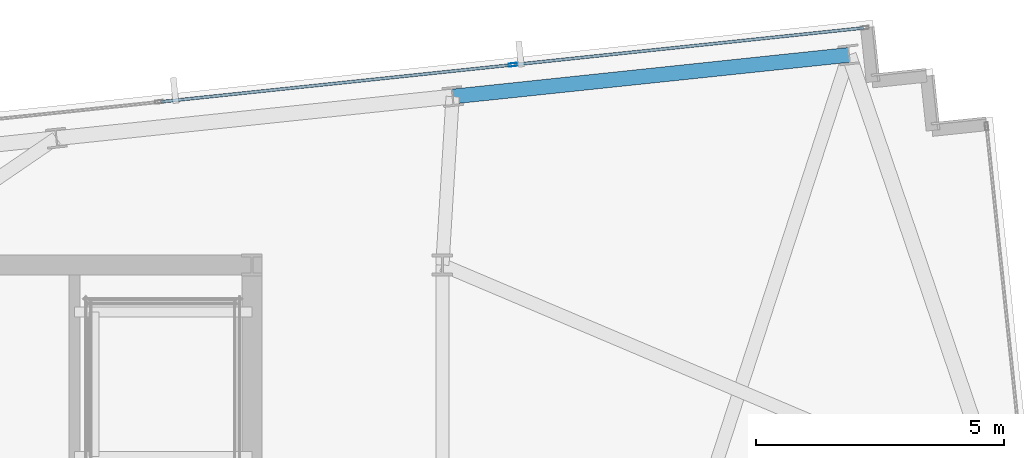
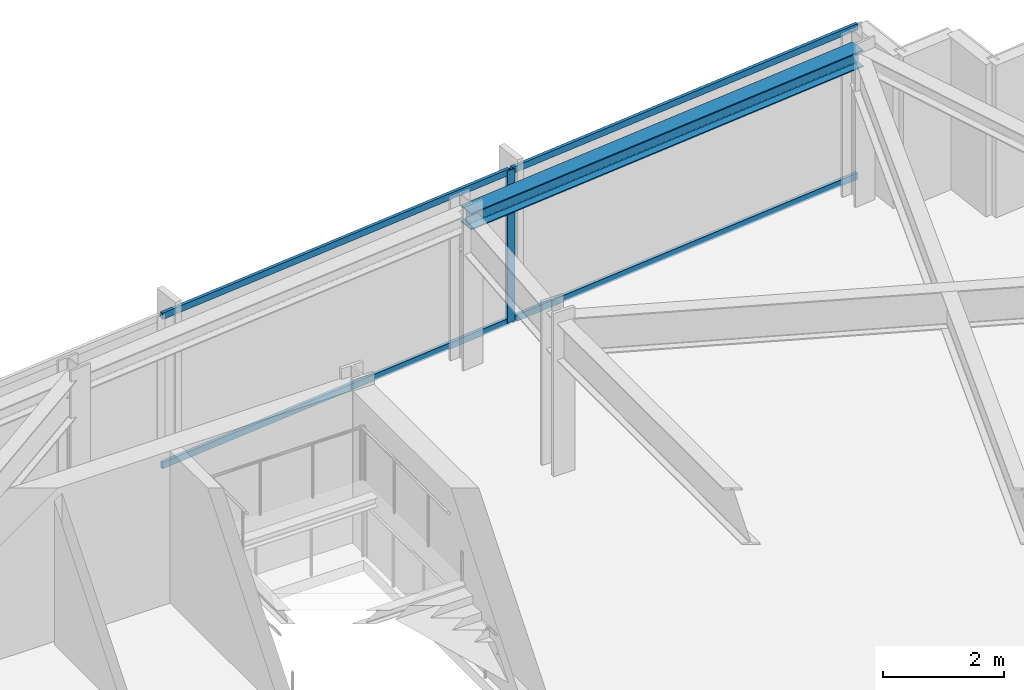
# One storey, part 24 of 33: 5 members, 1 beam, 1 element without a shape of its own.
"""IFC4 building model written with IfcOpenShell, lengths in metres."""

from ifc_helpers import new_model, si_unit, direction, frame, origin, origin_2d, place, context, subcontext, project, spatial, hollow_rectangle, i_section, extrude, material, material_profile, profile_set, type_object, element, aggregate, save


model = new_model("IFC4")

# Units and contexts
model_context = context("Model", 3, precision=1e-05, world=origin(), true_north=direction((0.0, 1.0)))
body_context = subcontext(model_context, "Body", "Model", "MODEL_VIEW")
ifc_project = project(units=[si_unit("LENGTHUNIT", "METRE"), si_unit("AREAUNIT", "SQUARE_METRE"), si_unit("VOLUMEUNIT", "CUBIC_METRE"), si_unit("PLANEANGLEUNIT", "RADIAN"), si_unit("MASSUNIT", "GRAM", prefix="KILO")], contexts=[model_context])

# Site, building, storey
site_placement = place(None, origin())
site = spatial("IfcSite", under=ifc_project, at=site_placement, CompositionType="ELEMENT")
building_placement = place(site_placement, origin())
building = spatial("IfcBuilding", under=site, at=building_placement, Name="Yelkora Congress Tower", CompositionType="ELEMENT")
storey_placement = place(building_placement, frame((0.0, 0.0, 221.0)))
storey = spatial("IfcBuildingStorey", under=building, at=storey_placement, Name="L61", CompositionType="ELEMENT", Elevation=221.0)

# Beam
ifc_material_1 = material(Name="Steel S355J2", Category="steel")
ifc_material_profile_1 = material_profile(ifc_material_1, i_section(OverallWidth=0.300048828125, OverallDepth=0.340087890625, WebThickness=0.011962890625, FlangeThickness=0.021484375, FilletRadius=0.027099609375, at=origin_2d()), Name="HEB 340")
ifc_profile_set_1 = profile_set([ifc_material_profile_1], Name="Steel S355J2")
beam_type = type_object("IfcBeamType", Name="BM-SPAN-HEB340", PredefinedType="SPANDREL", material=ifc_profile_set_1)
beam_placement = place(storey_placement, frame((65.7958984375, 50.4365234375, 2.909912109375), z_axis=(-0.994520097542, -0.104545567032, 0.0), x_axis=(0.104545567032, -0.994520097542, 0.0)))
element("IfcBeam", 1, at=beam_placement, inside=storey, type_object=beam_type, Name="L61 Perimeter Beam 13", PredefinedType="SPANDREL", context=body_context, shape_type="SweptSolid", body=[
    extrude(i_section(OverallWidth=0.300048828125, OverallDepth=0.340087890625, WebThickness=0.011962890625, FlangeThickness=0.021484375, FilletRadius=0.027099609375, at=origin_2d()), origin(), (0.0, 0.0, 1.0), 8.033203125),
])

# Curtain wall, members
ifc_material_2 = material(Name="Anodised aluminium and insulated glass", Category="aluminium")
curtain_wall_type = type_object("IfcCurtainWallType", Name="CW-SYS-B4", PredefinedType="NOTDEFINED", material=ifc_material_2)
curtain_wall_placement = place(storey_placement, origin())
curtain_wall = element("IfcCurtainWall", 2, at=curtain_wall_placement, inside=storey, type_object=curtain_wall_type, Name="L61 Unitised Curtain Wall 10 (3)", PredefinedType="NOTDEFINED")
ifc_material_3 = material(Name="Anodised aluminium 6063-T6", Category="aluminium")
ifc_material_profile_2 = material_profile(ifc_material_3, hollow_rectangle(XDim=0.06494140625, YDim=0.159912109375, WallThickness=0.00390625, at=origin_2d()), Name="ALU 65x160x4")
ifc_profile_set_2 = profile_set([ifc_material_profile_2], Name="Anodised aluminium 6063-T6")
member_type_1 = type_object("IfcMemberType", Name="MEM-ML-B4", PredefinedType="MULLION", material=ifc_profile_set_2)
member_1_placement = place(storey_placement, frame((59.019775390625, 50.237060546875, 0.0), z_axis=(0.0, 0.0, 1.0), x_axis=(-0.104527724021, 0.994521973066, 0.0)))
member_1 = element("IfcMember", 3, at=member_1_placement, type_object=member_type_1, Name="CW-B4 mullion 6", PredefinedType="MULLION", context=body_context, shape_type="SweptSolid", body=[
    extrude(hollow_rectangle(XDim=0.06494140625, YDim=0.159912109375, WallThickness=0.00390625, at=origin_2d()), origin(), (0.0, 0.0, 1.0), 3.080078125),
])
ifc_material_profile_3 = material_profile(ifc_material_3, hollow_rectangle(XDim=0.06005859375, YDim=0.1298828125, WallThickness=0.00390625, at=origin_2d()), Name="ALU 60x130x4")
ifc_profile_set_3 = profile_set([ifc_material_profile_3], Name="Anodised aluminium 6063-T6")
member_type_2 = type_object("IfcMemberType", Name="MEM-TR-B4", PredefinedType="USERDEFINED", material=ifc_profile_set_3)
member_2_placement = place(storey_placement, frame((51.92138671875, 49.490966796875, 0.030029296875), z_axis=(0.99452200925, 0.104527379751, 0.0), x_axis=(-0.104527379751, 0.99452200925, 0.0)))
member_2 = element("IfcMember", 4, at=member_2_placement, type_object=member_type_2, Name="CW-B4 transom 5.1", ObjectType="TRANSOM", PredefinedType="USERDEFINED", context=body_context, shape_type="SweptSolid", body=[
    extrude(hollow_rectangle(XDim=0.06005859375, YDim=0.1298828125, WallThickness=0.00390625, at=origin_2d()), origin(), (0.0, 0.0, 1.0), 7.10498046875),
])
member_3_placement = place(storey_placement, frame((51.92138671875, 49.490966796875, 3.050048828125), z_axis=(0.99452200925, 0.104527379751, 0.0), x_axis=(-0.104527379751, 0.99452200925, 0.0)))
member_3 = element("IfcMember", 5, at=member_3_placement, type_object=member_type_2, Name="CW-B4 transom 5.2", ObjectType="TRANSOM", PredefinedType="USERDEFINED", context=body_context, shape_type="SweptSolid", body=[
    extrude(hollow_rectangle(XDim=0.06005859375, YDim=0.1298828125, WallThickness=0.00390625, at=origin_2d()), origin(), (0.0, 0.0, 1.0), 7.10498046875),
])
member_4_placement = place(storey_placement, frame((59.052001953125, 50.240478515625, 0.030029296875), z_axis=(0.994522462765, 0.104523064706, 0.0), x_axis=(-0.104523064706, 0.994522462765, 0.0)))
member_4 = element("IfcMember", 6, at=member_4_placement, type_object=member_type_2, Name="CW-B4 transom 6.1", ObjectType="TRANSOM", PredefinedType="USERDEFINED", context=body_context, shape_type="SweptSolid", body=[
    extrude(hollow_rectangle(XDim=0.06005859375, YDim=0.1298828125, WallThickness=0.00390625, at=origin_2d()), origin(), (0.0, 0.0, 1.0), 7.07275390625),
])
member_5_placement = place(storey_placement, frame((59.052001953125, 50.240478515625, 3.050048828125), z_axis=(0.994522462765, 0.104523064706, 0.0), x_axis=(-0.104523064706, 0.994522462765, 0.0)))
member_5 = element("IfcMember", 7, at=member_5_placement, type_object=member_type_2, Name="CW-B4 transom 6.2", ObjectType="TRANSOM", PredefinedType="USERDEFINED", context=body_context, shape_type="SweptSolid", body=[
    extrude(hollow_rectangle(XDim=0.06005859375, YDim=0.1298828125, WallThickness=0.00390625, at=origin_2d()), origin(), (0.0, 0.0, 1.0), 7.07275390625),
])
aggregate(curtain_wall, [member_1, member_2, member_3, member_4, member_5])

save(model, "model.ifc")
